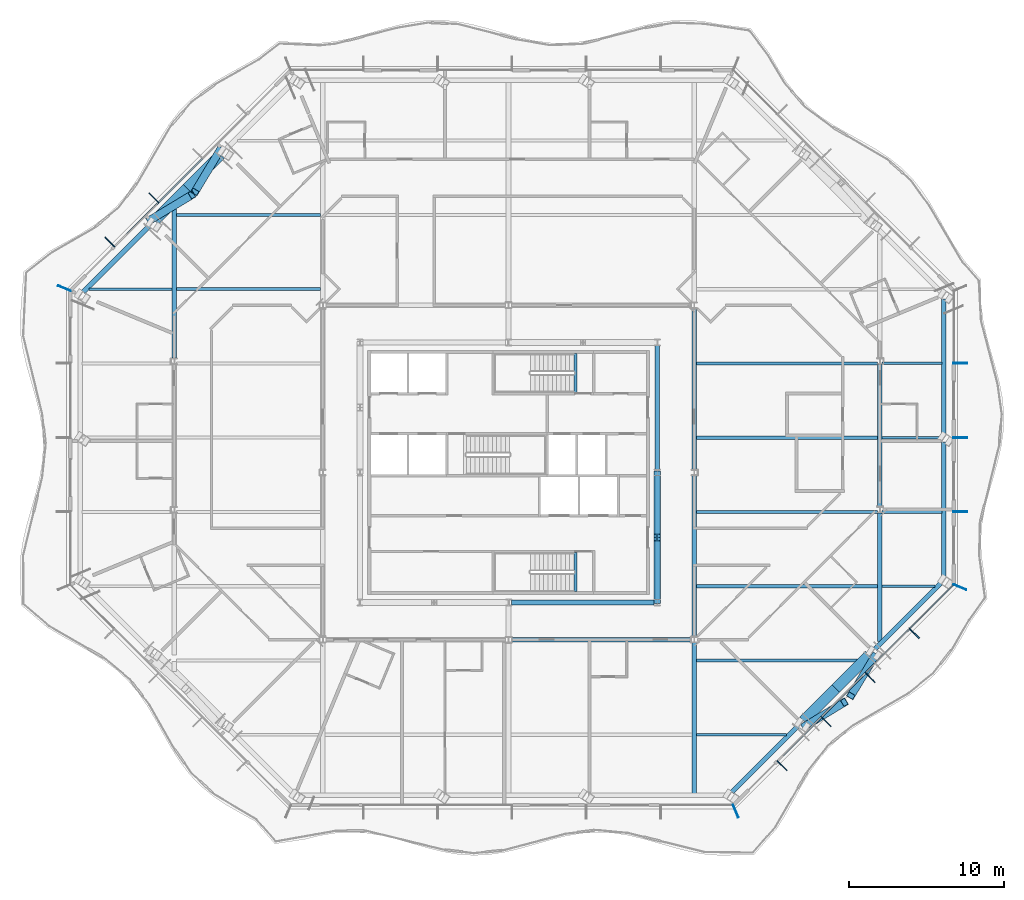
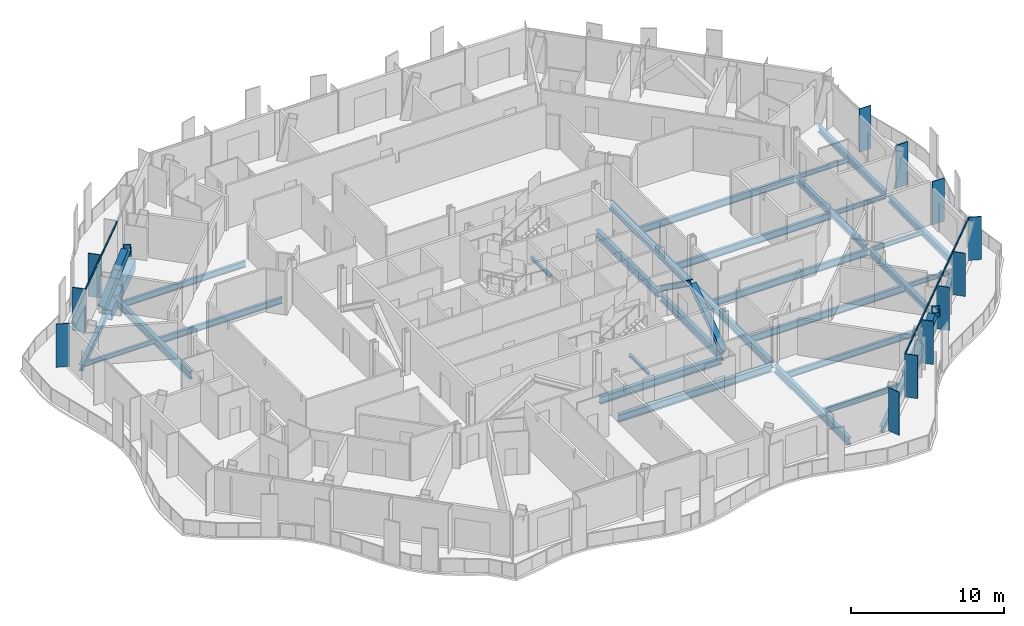
# One storey, part 4 of 22: 34 beams, 24 members, 4 elements without a shape of their own.
"""IFC4 building model written with IfcOpenShell, lengths in metres."""

import ifcopenshell
import ifcopenshell.guid

model = None  # the IFC model being written
_history = None  # IfcOwnerHistory: only IFC2X3 demands one
_inside = {}  # id of a spatial element -> (the spatial element, [elements in it])
_under = {}  # id of a project, library or spatial element -> (it, [spatial elements below it])
_declared = {}  # id of a project -> (the project, [libraries it declares])
_typed = {}  # id of a type object -> (the type object, [elements of that type])
_made_of = {}  # id of a material, layer set ... -> (it, [elements and type objects made of it])


def new_model(schema):
    """Start an empty IFC model of exactly this schema.

    Asked for "IFC4X3", IfcOpenShell would pick the latest addendum, in which some entities
    have other attributes; the version numbers below select the first issue.
    IFC2X3 requires an IfcOwnerHistory on every rooted entity: one is made here for all.
    """
    global model, _history
    if schema == "IFC4X3":
        model = ifcopenshell.file(schema_version=(4, 3, 0, 0))
    else:
        model = ifcopenshell.file(schema=schema)
    _inside.clear()
    _under.clear()
    _declared.clear()
    _typed.clear()
    _made_of.clear()
    _history = None
    if model.schema == "IFC2X3":
        org = make("IfcOrganization", Name="unknown")
        user = make(
            "IfcPersonAndOrganization",
            ThePerson=make("IfcPerson", FamilyName="unknown"),
            TheOrganization=org,
        )
        app = make(
            "IfcApplication",
            ApplicationDeveloper=org,
            Version="unknown",
            ApplicationFullName="unknown",
            ApplicationIdentifier="unknown",
        )
        _history = make(
            "IfcOwnerHistory",
            OwningUser=user,
            OwningApplication=app,
            ChangeAction="ADDED",
            CreationDate=0,
        )
    return model


def make(cls, **values):
    """One entity of the class cls with the attributes given. An attribute that is None is left unset."""
    return model.create_entity(
        cls, **{name: value for name, value in values.items() if value is not None}
    )


def rooted(cls, **values):
    """An entity with a GlobalId (a new one), such as an element, a storey or a relation."""
    return make(cls, GlobalId=ifcopenshell.guid.new(), OwnerHistory=_history, **values)


def si_unit(unit_type, name, prefix=None):
    """IfcSIUnit, for example si_unit("LENGTHUNIT", "METRE", prefix="MILLI")."""
    return make("IfcSIUnit", UnitType=unit_type, Prefix=prefix, Name=name)


def assignment(units):
    """IfcUnitAssignment: the units of a project."""
    return None if units is None else make("IfcUnitAssignment", Units=units)


def point(xyz):
    """IfcCartesianPoint."""
    return None if xyz is None else make("IfcCartesianPoint", Coordinates=xyz)


def direction(xyz):
    """IfcDirection."""
    return None if xyz is None else make("IfcDirection", DirectionRatios=xyz)


def frame(location, z_axis=None, x_axis=None):
    """IfcAxis2Placement3D, a coordinate frame: its origin and axes. An axis left out is left unset."""
    return make(
        "IfcAxis2Placement3D",
        Location=point(location),
        Axis=direction(z_axis),
        RefDirection=direction(x_axis),
    )


def frame_2d(location, x_axis=None):
    """IfcAxis2Placement2D, a coordinate frame in the plane: its origin and x axis."""
    return make(
        "IfcAxis2Placement2D", Location=point(location), RefDirection=direction(x_axis)
    )


def origin():
    """The frame at (0, 0, 0) with its axes left unset."""
    return frame((0.0, 0.0, 0.0))


def origin_2d():
    """The frame at (0, 0) in the plane with its x axis left unset."""
    return frame_2d((0.0, 0.0))


def place(relative_to, where):
    """IfcLocalPlacement: puts the frame where relative to a parent placement (None: the world)."""
    return make(
        "IfcLocalPlacement", PlacementRelTo=relative_to, RelativePlacement=where
    )


def context(
    kind, dimensions, precision=None, world=None, true_north=None, identifier=None
):
    """IfcGeometricRepresentationContext, for example the 3D "Model" context."""
    return make(
        "IfcGeometricRepresentationContext",
        ContextIdentifier=identifier,
        ContextType=kind,
        CoordinateSpaceDimension=dimensions,
        Precision=precision,
        WorldCoordinateSystem=world,
        TrueNorth=true_north,
    )


def subcontext(parent, identifier, kind, view, scale=None):
    """IfcGeometricRepresentationSubContext, for example "Body" below "Model"."""
    return make(
        "IfcGeometricRepresentationSubContext",
        ContextIdentifier=identifier,
        ContextType=kind,
        ParentContext=parent,
        TargetScale=scale,
        TargetView=view,
    )


def project(units=None, contexts=None):
    """IfcProject with its units and contexts."""
    return rooted(
        "IfcProject",
        Name="project",
        RepresentationContexts=contexts,
        UnitsInContext=assignment(units),
    )


def spatial(cls, under=None, at=None, **own):
    """A site, building, storey or space (cls), placed at a placement, below another one or the project."""
    s = rooted(cls, ObjectPlacement=at, **own)
    if under is not None:
        _under.setdefault(under.id(), (under, []))[1].append(s)
    return s


def profile(cls, at=None, kind="AREA", **sizes):
    """A parametric profile (cls). Its sizes go by their IFC names, for example OverallWidth=200.0."""
    return make(cls, ProfileType=kind, Position=at, **sizes)


def rectangle(**sizes):
    """IfcRectangleProfileDef."""
    return profile("IfcRectangleProfileDef", **sizes)


def hollow_rectangle(**sizes):
    """IfcRectangleHollowProfileDef."""
    return profile("IfcRectangleHollowProfileDef", **sizes)


def i_section(**sizes):
    """IfcIShapeProfileDef."""
    return profile("IfcIShapeProfileDef", **sizes)


def extrude(swept, where, along, depth):
    """IfcExtrudedAreaSolid: the profile swept, set in the frame where, extruded along a direction by depth."""
    return make(
        "IfcExtrudedAreaSolid",
        SweptArea=swept,
        Position=where,
        ExtrudedDirection=direction(along),
        Depth=depth,
    )


def shape(context_of_items, identifier, shape_type, items):
    """IfcShapeRepresentation: the items that make up one representation, for example the "Body"."""
    return make(
        "IfcShapeRepresentation",
        ContextOfItems=context_of_items,
        RepresentationIdentifier=identifier,
        RepresentationType=shape_type,
        Items=items,
    )


def material(Name=None, Category=None):
    """IfcMaterial."""
    return make("IfcMaterial", Name=Name, Category=Category)


def material_profile(
    of_material, cross_section, Name=None, Category=None, Priority=None
):
    """IfcMaterialProfile: a cross section and its material."""
    return make(
        "IfcMaterialProfile",
        Name=Name,
        Material=of_material,
        Profile=cross_section,
        Priority=Priority,
        Category=Category,
    )


def profile_set(profiles, Name=None, composite=None):
    """IfcMaterialProfileSet."""
    return make(
        "IfcMaterialProfileSet",
        Name=Name,
        MaterialProfiles=profiles,
        CompositeProfile=composite,
    )


def made_of(thing, what):
    """Note that an element or type object is made of a material, layer set ...; save() writes the relation."""
    if what is not None:
        _made_of.setdefault(what.id(), (what, []))[1].append(thing)
    return thing


def type_object(cls, material=None, **own):
    """A type object (cls), such as IfcWallType, which elements share."""
    return made_of(rooted(cls, **own), material)


def element(
    cls,
    number,
    at=None,
    inside=None,
    cuts=None,
    type_object=None,
    material=None,
    context=None,
    identifier="Body",
    shape_type=None,
    held_by="IfcProductDefinitionShape",
    body=None,
    shapes=None,
    **own,
):
    """One element of the class cls, such as IfcWall. Its Tag is "e" and its number.

    at: its placement. inside: the storey or other place that contains it. cuts: it is an
    opening in that element (IfcRelVoidsElement). A single representation is given by context,
    identifier, shape_type and body (its items); several are given by shapes. held_by: the class
    of the entity that holds the representations. save() writes the other relations.
    """
    e = rooted(cls, Tag="e%d" % number, ObjectPlacement=at, **own)
    if body is not None:
        shapes = [shape(context, identifier, shape_type, body)]
    if shapes is not None:
        e.Representation = make(held_by, Representations=shapes)
    if inside is not None:
        _inside.setdefault(inside.id(), (inside, []))[1].append(e)
    if cuts is not None:
        rooted(
            "IfcRelVoidsElement", RelatingBuildingElement=cuts, RelatedOpeningElement=e
        )
    if type_object is not None:
        _typed.setdefault(type_object.id(), (type_object, []))[1].append(e)
    return made_of(e, material)


def aggregate(whole, parts):
    """IfcRelAggregates: a whole, such as a stair, and the parts it consists of."""
    return rooted("IfcRelAggregates", RelatingObject=whole, RelatedObjects=parts)


def save(model, path):
    """Write the relations noted so far, then the file.

    IfcRelAggregates (storeys below a building ...), IfcRelContainedInSpatialStructure (elements
    in a storey), IfcRelDefinesByType, IfcRelAssociatesMaterial and IfcRelDeclares: one each for
    every whole, place, type object, material and project.
    """
    for whole, parts in _under.values():
        aggregate(whole, parts)
    for where, things in _inside.values():
        rooted(
            "IfcRelContainedInSpatialStructure",
            RelatedElements=things,
            RelatingStructure=where,
        )
    for kind, things in _typed.values():
        rooted("IfcRelDefinesByType", RelatedObjects=things, RelatingType=kind)
    for what, things in _made_of.values():
        rooted("IfcRelAssociatesMaterial", RelatedObjects=things, RelatingMaterial=what)
    for by, libraries in _declared.values():
        rooted("IfcRelDeclares", RelatingContext=by, RelatedDefinitions=libraries)
    model.write(path)


model = new_model("IFC4")

# Units and contexts
model_context = context("Model", 3, precision=1e-05, world=origin(), true_north=direction((0.0, 1.0)))
body_context = subcontext(model_context, "Body", "Model", "MODEL_VIEW")
ifc_project = project(units=[si_unit("LENGTHUNIT", "METRE"), si_unit("AREAUNIT", "SQUARE_METRE"), si_unit("VOLUMEUNIT", "CUBIC_METRE"), si_unit("PLANEANGLEUNIT", "RADIAN"), si_unit("MASSUNIT", "GRAM", prefix="KILO")], contexts=[model_context])

# Site, building, storey
site_placement = place(None, origin())
site = spatial("IfcSite", under=ifc_project, at=site_placement, CompositionType="ELEMENT")
building_placement = place(site_placement, origin())
building = spatial("IfcBuilding", under=site, at=building_placement, Name="Cairn Pilgrim Tower", CompositionType="ELEMENT")
storey_placement = place(building_placement, frame((0.0, 0.0, 175.800048828125)))
storey = spatial("IfcBuildingStorey", under=building, at=storey_placement, Name="L44", CompositionType="ELEMENT", Elevation=175.800048828125)

# Members
ifc_material_1 = material(Name="Structural steel S460M", Category="steel")
ifc_material_profile_1 = material_profile(ifc_material_1, hollow_rectangle(XDim=0.5, YDim=0.5, WallThickness=0.030029296875, at=origin_2d()), Name="BOX 500x500x30")
ifc_profile_set_1 = profile_set([ifc_material_profile_1], Name="Structural steel S460M")
member_type_1 = type_object("IfcMemberType", Name="BOX 500x500x30 BRACE", PredefinedType="BRACE", material=ifc_profile_set_1)
for number, where, z_axis, x_axis, name in (
    (1, (26.341552734375, -14.006103515625, 0.14990234375), (0.644796978851, 0.391501445587, 0.65647808354), (-0.518995148222, 0.854777185074, 0.0), "XB-SE2-SE3-1"),
    (2, (30.881103515625, -9.466552734375, 0.14990234375), (-0.391501445587, -0.644796978851, 0.65647808354), (0.854777185074, -0.518995148222, 0.0), "XB-SE2-SE3-2"),
):
    element("IfcMember", number, at=place(storey_placement, frame(where, z_axis=z_axis, x_axis=x_axis)), inside=storey, type_object=member_type_1, Name=name, PredefinedType="BRACE", context=body_context, shape_type="SweptSolid", body=[
        extrude(hollow_rectangle(XDim=0.5, YDim=0.5, WallThickness=0.030029296875, at=origin_2d()), origin(), (0.0, 0.0, 1.0), 3.97119140625),
    ])
member_1_placement = place(storey_placement, frame((-11.426513671875, 23.26171875, 0.13232421875), z_axis=(-0.396628072591, -0.6568655563, 0.641259551959), x_axis=(0.85604714496, -0.516897751596, 0.0)))
element("IfcMember", 3, at=member_1_placement, inside=storey, type_object=member_type_1, Name="XB-NW2-NW3-1", PredefinedType="BRACE", context=body_context, shape_type="SweptSolid", body=[
    extrude(hollow_rectangle(XDim=0.5, YDim=0.5, WallThickness=0.030029296875, at=origin_2d()), origin(), (0.0, 0.0, 1.0), 4.145751953125),
])
member_2_placement = place(storey_placement, frame((-15.985107421875, 18.7060546875, 0.1337890625), z_axis=(0.657089677269, 0.395915981541, 0.641469945974), x_axis=(-0.516088024647, 0.856535551402, 0.0)))
element("IfcMember", 4, at=member_2_placement, inside=storey, type_object=member_type_1, Name="XB-NW2-NW3-2", PredefinedType="BRACE", context=body_context, shape_type="SweptSolid", body=[
    extrude(hollow_rectangle(XDim=0.5, YDim=0.5, WallThickness=0.030029296875, at=origin_2d()), origin(), (0.0, 0.0, 1.0), 4.14208984375),
])

# Beams
ifc_material_2 = material(Name="Structural steel S355J2", Category="steel")
ifc_material_profile_2 = material_profile(ifc_material_2, hollow_rectangle(XDim=0.699951171875, YDim=0.800048828125, WallThickness=0.0400390625, at=origin_2d()), Name="BOX 700x800x40")
ifc_profile_set_2 = profile_set([ifc_material_profile_2], Name="Structural steel S355J2")
beam_type_1 = type_object("IfcBeamType", Name="BOX 700x800x40 RING GIRDER", PredefinedType="SPANDREL", material=ifc_profile_set_2)
beam_1_placement = place(storey_placement, frame((26.267333984375, -13.634765625, -0.550048828125), z_axis=(0.707106781187, 0.707106781187, 0.0), x_axis=(-0.707106781187, 0.707106781187, 0.0)))
element("IfcBeam", 5, at=beam_1_placement, inside=storey, type_object=beam_type_1, Name="RG2-SE2-SE3-1", PredefinedType="SPANDREL", context=body_context, shape_type="SweptSolid", body=[
    extrude(hollow_rectangle(XDim=0.699951171875, YDim=0.800048828125, WallThickness=0.0400390625, at=origin_2d()), origin(), (0.0, 0.0, 1.0), 2.94677734375),
])
for number, where, z_axis, x_axis, name in (
    (6, (28.35107421875, -11.551025390625, -0.550048828125), (0.707106781187, 0.707106781187, 0.0), (-0.707106781187, 0.707106781187, 0.0), "RG2-SE2-SE3-2"),
    (7, (-11.41748046875, 22.934814453125, -0.550048828125), (-0.707106781187, -0.707106781187, 0.0), (0.707106781187, -0.707106781187, 0.0), "RG2-NW2-NW3-1"),
):
    element("IfcBeam", number, at=place(storey_placement, frame(where, z_axis=z_axis, x_axis=x_axis)), inside=storey, type_object=beam_type_1, Name=name, PredefinedType="SPANDREL", context=body_context, shape_type="SweptSolid", body=[
        extrude(hollow_rectangle(XDim=0.699951171875, YDim=0.800048828125, WallThickness=0.0400390625, at=origin_2d()), origin(), (0.0, 0.0, 1.0), 3.052734375),
    ])
beam_2_placement = place(storey_placement, frame((-13.576171875, 20.776123046875, -0.550048828125), z_axis=(-0.707106781187, -0.707106781187, 0.0), x_axis=(0.707106781187, -0.707106781187, 0.0)))
element("IfcBeam", 8, at=beam_2_placement, inside=storey, type_object=beam_type_1, Name="RG2-NW2-NW3-2", PredefinedType="SPANDREL", context=body_context, shape_type="SweptSolid", body=[
    extrude(hollow_rectangle(XDim=0.699951171875, YDim=0.800048828125, WallThickness=0.0400390625, at=origin_2d()), origin(), (0.0, 0.0, 1.0), 2.94677734375),
])

# Curtain wall, members
ifc_material_3 = material(Name="Aluminium alloy 6063-T6 bronze anodised with Bronze tinted laminated low-E glass 8+16+8.8", Category="aluminium")
curtain_wall_type_1 = type_object("IfcCurtainWallType", Name="CHAMFER CORNER CURTAIN WALL", PredefinedType="NOTDEFINED", material=ifc_material_3)
curtain_wall_1_placement = place(storey_placement, origin())
curtain_wall_1 = element("IfcCurtainWall", 9, at=curtain_wall_1_placement, inside=storey, type_object=curtain_wall_type_1, Name="Chamfer Corner Curtain Wall SE", PredefinedType="NOTDEFINED")
ifc_material_4 = material(Name="Aluminium alloy 6063-T6 bronze anodised", Category="aluminium")
ifc_material_profile_3 = material_profile(ifc_material_4, rectangle(XDim=0.89990234375, YDim=0.06005859375, at=origin_2d()), Name="FIN MULLION 60x900 BRONZE")
ifc_profile_set_3 = profile_set([ifc_material_profile_3], Name="Aluminium alloy 6063-T6 bronze anodised")
member_type_2 = type_object("IfcMemberType", Name="FIN MULLION 60x900 BRONZE", PredefinedType="MULLION", material=ifc_profile_set_3)
member_3_placement = place(storey_placement, frame((21.882080078125, -19.488037109375, 0.0), z_axis=(0.0, 0.0, 1.0), x_axis=(0.382683432365, -0.923879532511, 0.0)))
member_3 = element("IfcMember", 10, at=member_3_placement, type_object=member_type_2, Name="Fin mullion SE1", PredefinedType="MULLION", context=body_context, shape_type="SweptSolid", body=[
    extrude(rectangle(XDim=0.89990234375, YDim=0.06005859375, at=origin_2d()), origin(), (0.0, 0.0, 1.0), 3.449951171875),
])
member_4_placement = place(storey_placement, frame((24.869140625, -16.54638671875, 0.0), z_axis=(0.0, 0.0, 1.0), x_axis=(0.707106781187, -0.707106781187, 0.0)))
member_4 = element("IfcMember", 11, at=member_4_placement, type_object=member_type_2, Name="Fin mullion SE2", PredefinedType="MULLION", context=body_context, shape_type="SweptSolid", body=[
    extrude(rectangle(XDim=0.89990234375, YDim=0.06005859375, at=origin_2d()), origin(), (0.0, 0.0, 1.0), 3.449951171875),
])
member_5_placement = place(storey_placement, frame((27.719970703125, -13.695556640625, 0.0), z_axis=(0.0, 0.0, 1.0), x_axis=(0.707106781187, -0.707106781187, 0.0)))
member_5 = element("IfcMember", 12, at=member_5_placement, type_object=member_type_2, Name="Fin mullion SE3", PredefinedType="MULLION", context=body_context, shape_type="SweptSolid", body=[
    extrude(rectangle(XDim=0.89990234375, YDim=0.06005859375, at=origin_2d()), origin(), (0.0, 0.0, 1.0), 3.449951171875),
])
member_6_placement = place(storey_placement, frame((30.570556640625, -10.844970703125, 0.0), z_axis=(0.0, 0.0, 1.0), x_axis=(0.707106781187, -0.707106781187, 0.0)))
member_6 = element("IfcMember", 13, at=member_6_placement, type_object=member_type_2, Name="Fin mullion SE4", PredefinedType="MULLION", context=body_context, shape_type="SweptSolid", body=[
    extrude(rectangle(XDim=0.89990234375, YDim=0.06005859375, at=origin_2d()), origin(), (0.0, 0.0, 1.0), 3.449951171875),
])
member_7_placement = place(storey_placement, frame((33.42138671875, -7.994140625, 0.0), z_axis=(0.0, 0.0, 1.0), x_axis=(0.707106781187, -0.707106781187, 0.0)))
member_7 = element("IfcMember", 14, at=member_7_placement, type_object=member_type_2, Name="Fin mullion SE5", PredefinedType="MULLION", context=body_context, shape_type="SweptSolid", body=[
    extrude(rectangle(XDim=0.89990234375, YDim=0.06005859375, at=origin_2d()), origin(), (0.0, 0.0, 1.0), 3.449951171875),
])

curtain_wall_type_2 = type_object("IfcCurtainWallType", Name="TOWER STICK CURTAIN WALL EW", PredefinedType="NOTDEFINED", material=ifc_material_3)
curtain_wall_2_placement = place(storey_placement, origin())
curtain_wall_2 = element("IfcCurtainWall", 15, at=curtain_wall_2_placement, inside=storey, type_object=curtain_wall_type_2, Name="Tower Stick Curtain Wall Ew E", PredefinedType="NOTDEFINED")
member_8_placement = place(storey_placement, frame((36.363037109375, -5.007080078125, 0.0), z_axis=(0.0, 0.0, 1.0), x_axis=(0.923879532511, -0.382683432365, 0.0)))
member_8 = element("IfcMember", 16, at=member_8_placement, type_object=member_type_2, Name="Fin mullion E1", PredefinedType="MULLION", context=body_context, shape_type="SweptSolid", body=[
    extrude(rectangle(XDim=0.89990234375, YDim=0.06005859375, at=origin_2d()), origin(), (0.0, 0.0, 1.0), 3.449951171875),
])
member_9_placement = place(storey_placement, frame((36.39501953125, -0.14990234375, 0.0), z_axis=(0.0, 0.0, 1.0), x_axis=(1.0, 0.0, 0.0)))
member_9 = element("IfcMember", 17, at=member_9_placement, type_object=member_type_2, Name="Fin mullion E2", PredefinedType="MULLION", context=body_context, shape_type="SweptSolid", body=[
    extrude(rectangle(XDim=0.89990234375, YDim=0.06005859375, at=origin_2d()), origin(), (0.0, 0.0, 1.0), 3.449951171875),
])
member_10_placement = place(storey_placement, frame((36.39501953125, 4.64990234375, 0.0), z_axis=(0.0, 0.0, 1.0), x_axis=(1.0, 0.0, 0.0)))
member_10 = element("IfcMember", 18, at=member_10_placement, type_object=member_type_2, Name="Fin mullion E3", PredefinedType="MULLION", context=body_context, shape_type="SweptSolid", body=[
    extrude(rectangle(XDim=0.89990234375, YDim=0.06005859375, at=origin_2d()), origin(), (0.0, 0.0, 1.0), 3.449951171875),
])
member_11_placement = place(storey_placement, frame((36.39501953125, 9.449951171875, 0.0), z_axis=(0.0, 0.0, 1.0), x_axis=(1.0, 0.0, 0.0)))
member_11 = element("IfcMember", 19, at=member_11_placement, type_object=member_type_2, Name="Fin mullion E4", PredefinedType="MULLION", context=body_context, shape_type="SweptSolid", body=[
    extrude(rectangle(XDim=0.89990234375, YDim=0.06005859375, at=origin_2d()), origin(), (0.0, 0.0, 1.0), 3.449951171875),
])
aggregate(curtain_wall_2, [member_8, member_9, member_10, member_11])

curtain_wall_3_placement = place(storey_placement, origin())
curtain_wall_3 = element("IfcCurtainWall", 20, at=curtain_wall_3_placement, inside=storey, type_object=curtain_wall_type_1, Name="Chamfer Corner Curtain Wall NW", PredefinedType="NOTDEFINED")
member_12_placement = place(storey_placement, frame((-15.720458984375, 20.144775390625, 0.0), z_axis=(0.0, 0.0, 1.0), x_axis=(-0.707106781187, 0.707106781187, 0.0)))
member_12 = element("IfcMember", 21, at=member_12_placement, type_object=member_type_2, Name="Fin mullion NW4", PredefinedType="MULLION", context=body_context, shape_type="SweptSolid", body=[
    extrude(rectangle(XDim=0.89990234375, YDim=0.06005859375, at=origin_2d()), origin(), (0.0, 0.0, 1.0), 3.449951171875),
])
member_13_placement = place(storey_placement, frame((-18.5712890625, 17.294189453125, 0.0), z_axis=(0.0, 0.0, 1.0), x_axis=(-0.707106781187, 0.707106781187, 0.0)))
member_13 = element("IfcMember", 22, at=member_13_placement, type_object=member_type_2, Name="Fin mullion NW5", PredefinedType="MULLION", context=body_context, shape_type="SweptSolid", body=[
    extrude(rectangle(XDim=0.89990234375, YDim=0.06005859375, at=origin_2d()), origin(), (0.0, 0.0, 1.0), 3.449951171875),
])

# Curtain wall, member
curtain_wall_4_placement = place(storey_placement, origin())
curtain_wall_4 = element("IfcCurtainWall", 23, at=curtain_wall_4_placement, inside=storey, type_object=curtain_wall_type_2, Name="Tower Stick Curtain Wall Ew W", PredefinedType="NOTDEFINED")
member_14_placement = place(storey_placement, frame((-21.512939453125, 14.30712890625, 0.0), z_axis=(0.0, 0.0, 1.0), x_axis=(-0.923879532511, 0.382683432365, 0.0)))
member_14 = element("IfcMember", 24, at=member_14_placement, type_object=member_type_2, Name="Fin mullion W1", PredefinedType="MULLION", context=body_context, shape_type="SweptSolid", body=[
    extrude(rectangle(XDim=0.89990234375, YDim=0.06005859375, at=origin_2d()), origin(), (0.0, 0.0, 1.0), 3.449951171875),
])
aggregate(curtain_wall_4, [member_14])

# Members
ifc_material_profile_4 = material_profile(ifc_material_1, i_section(OverallWidth=0.408935546875, OverallDepth=0.425048828125, WebThickness=0.03271484375, FlangeThickness=0.052490234375, FilletRadius=0.014892578125, at=origin_2d()), Name="HD 400x421")
ifc_profile_set_4 = profile_set([ifc_material_profile_4], Name="Structural steel S460M")
member_type_3 = type_object("IfcMemberType", Name="HD 400x421 BRACE", PredefinedType="BRACE", material=ifc_profile_set_4)
member_15_placement = place(storey_placement, frame((16.800048828125, -5.95849609375, 0.099853515625), z_axis=(0.0, 0.814346882511, 0.580378458373), x_axis=(-1.0, 0.0, 0.0)))
element("IfcMember", 25, at=member_15_placement, inside=storey, type_object=member_type_3, Name="KB-2A", PredefinedType="BRACE", context=body_context, shape_type="SweptSolid", body=[
    extrude(i_section(OverallWidth=0.408935546875, OverallDepth=0.425048828125, WebThickness=0.03271484375, FlangeThickness=0.052490234375, FilletRadius=0.014892578125, at=origin_2d()), origin(), (0.0, 0.0, 1.0), 4.998291015625),
])
member_16_placement = place(storey_placement, frame((16.800048828125, 2.3583984375, 0.099853515625), z_axis=(0.0, -0.81433042856, 0.580401544727), x_axis=(1.0, 0.0, 0.0)))
element("IfcMember", 26, at=member_16_placement, inside=storey, type_object=member_type_3, Name="KB-2B", PredefinedType="BRACE", context=body_context, shape_type="SweptSolid", body=[
    extrude(i_section(OverallWidth=0.408935546875, OverallDepth=0.425048828125, WebThickness=0.03271484375, FlangeThickness=0.052490234375, FilletRadius=0.014892578125, at=origin_2d()), origin(), (0.0, 0.0, 1.0), 4.998046875),
])

# Beams
ifc_material_profile_5 = material_profile(ifc_material_2, i_section(OverallWidth=0.300048828125, OverallDepth=0.5, WebThickness=0.014404296875, FlangeThickness=0.028076171875, FilletRadius=0.027099609375, at=origin_2d()), Name="HEB 500")
ifc_profile_set_5 = profile_set([ifc_material_profile_5], Name="Structural steel S355J2")
beam_type_2 = type_object("IfcBeamType", Name="HEB 500 GIRDER", PredefinedType="BEAM", material=ifc_profile_set_5)
beam_3_placement = place(storey_placement, frame((31.199951171875, -8.52001953125, -0.400146484375), z_axis=(0.0, 1.0, 0.0), x_axis=(-1.0, 0.0, 0.0)))
element("IfcBeam", 27, at=beam_3_placement, inside=storey, type_object=beam_type_2, Name="PG5-1", PredefinedType="BEAM", context=body_context, shape_type="SweptSolid", body=[
    extrude(i_section(OverallWidth=0.300048828125, OverallDepth=0.5, WebThickness=0.014404296875, FlangeThickness=0.028076171875, FilletRadius=0.027099609375, at=origin_2d()), origin(), (0.0, 0.0, 1.0), 8.3154296875),
])
beam_4_placement = place(storey_placement, frame((31.199951171875, 0.20458984375, -0.400146484375), z_axis=(0.0, 1.0, 0.0), x_axis=(-1.0, 0.0, 0.0)))
element("IfcBeam", 28, at=beam_4_placement, inside=storey, type_object=beam_type_2, Name="PG5-2", PredefinedType="BEAM", context=body_context, shape_type="SweptSolid", body=[
    extrude(i_section(OverallWidth=0.300048828125, OverallDepth=0.5, WebThickness=0.014404296875, FlangeThickness=0.028076171875, FilletRadius=0.027099609375, at=origin_2d()), origin(), (0.0, 0.0, 1.0), 9.19091796875),
])
ifc_material_profile_6 = material_profile(ifc_material_2, i_section(OverallWidth=0.300048828125, OverallDepth=0.5, WebThickness=0.014404296875, FlangeThickness=0.028076171875, FilletRadius=0.027099609375, at=origin_2d()), Name="HEB 500")
ifc_profile_set_6 = profile_set([ifc_material_profile_6], Name="Structural steel S355J2")
beam_type_3 = type_object("IfcBeamType", Name="HEB 500 RING GIRDER", PredefinedType="SPANDREL", material=ifc_profile_set_6)
for number, where, z_axis, x_axis, name in (
    (29, (21.64306640625, -18.259033203125, -0.400146484375), (0.707106781187, 0.707106781187, 0.0), (-0.707106781187, 0.707106781187, 0.0), "RG2-SE1-SE2"),
    (30, (30.8916015625, -9.010498046875, -0.400146484375), (0.707106781187, 0.707106781187, 0.0), (-0.707106781187, 0.707106781187, 0.0), "RG2-SE3-E1"),
):
    element("IfcBeam", number, at=place(storey_placement, frame(where, z_axis=z_axis, x_axis=x_axis)), inside=storey, type_object=beam_type_3, Name=name, PredefinedType="SPANDREL", context=body_context, shape_type="SweptSolid", body=[
        extrude(i_section(OverallWidth=0.300048828125, OverallDepth=0.5, WebThickness=0.014404296875, FlangeThickness=0.028076171875, FilletRadius=0.027099609375, at=origin_2d()), origin(), (0.0, 0.0, 1.0), 5.999755859375),
    ])
beam_5_placement = place(storey_placement, frame((35.324951171875, -4.30712890625, -0.400146484375), z_axis=(0.0, 1.0, 0.0), x_axis=(-1.0, 0.0, 0.0)))
element("IfcBeam", 31, at=beam_5_placement, inside=storey, type_object=beam_type_3, Name="RG2-E1-E2", PredefinedType="SPANDREL", context=body_context, shape_type="SweptSolid", body=[
    extrude(i_section(OverallWidth=0.300048828125, OverallDepth=0.5, WebThickness=0.014404296875, FlangeThickness=0.028076171875, FilletRadius=0.027099609375, at=origin_2d()), origin(), (0.0, 0.0, 1.0), 8.68701171875),
])
beam_6_placement = place(storey_placement, frame((35.324951171875, 4.919921875, -0.400146484375), z_axis=(0.0, 1.0, 0.0), x_axis=(-1.0, 0.0, 0.0)))
element("IfcBeam", 32, at=beam_6_placement, inside=storey, type_object=beam_type_3, Name="RG2-E2-NE1", PredefinedType="SPANDREL", context=body_context, shape_type="SweptSolid", body=[
    extrude(i_section(OverallWidth=0.300048828125, OverallDepth=0.5, WebThickness=0.014404296875, FlangeThickness=0.028076171875, FilletRadius=0.027099609375, at=origin_2d()), origin(), (0.0, 0.0, 1.0), 8.687255859375),
])
beam_7_placement = place(storey_placement, frame((-16.041748046875, 18.310546875, -0.400146484375), z_axis=(-0.707106781187, -0.707106781187, 0.0), x_axis=(0.707106781187, -0.707106781187, 0.0)))
element("IfcBeam", 33, at=beam_7_placement, inside=storey, type_object=beam_type_3, Name="RG2-NW3-W1", PredefinedType="SPANDREL", context=body_context, shape_type="SweptSolid", body=[
    extrude(i_section(OverallWidth=0.300048828125, OverallDepth=0.5, WebThickness=0.014404296875, FlangeThickness=0.028076171875, FilletRadius=0.027099609375, at=origin_2d()), origin(), (0.0, 0.0, 1.0), 5.999755859375),
])
ifc_material_profile_7 = material_profile(ifc_material_2, i_section(OverallWidth=0.300048828125, OverallDepth=0.60009765625, WebThickness=0.015380859375, FlangeThickness=0.030029296875, FilletRadius=0.027099609375, at=origin_2d()), Name="HEB 600")
ifc_profile_set_7 = profile_set([ifc_material_profile_7], Name="Structural steel S355J2")
beam_type_4 = type_object("IfcBeamType", Name="HEB 600 CORE BEAM", PredefinedType="BEAM", material=ifc_profile_set_7)
beam_8_placement = place(storey_placement, frame((7.38720703125, -6.0, -0.449951171875), z_axis=(1.0, 0.0, 0.0), x_axis=(0.0, 1.0, 0.0)))
element("IfcBeam", 34, at=beam_8_placement, inside=storey, type_object=beam_type_4, Name="CB-2", PredefinedType="BEAM", context=body_context, shape_type="SweptSolid", body=[
    extrude(i_section(OverallWidth=0.300048828125, OverallDepth=0.60009765625, WebThickness=0.015380859375, FlangeThickness=0.030029296875, FilletRadius=0.027099609375, at=origin_2d()), origin(), (0.0, 0.0, 1.0), 9.2255859375),
])
for number, where, z_axis, x_axis, name in (
    (35, (16.800048828125, -5.812744140625, -0.449951171875), (0.0, 1.0, 0.0), (-1.0, 0.0, 0.0), "CB-3"),
    (36, (16.800048828125, 2.587158203125, -0.449951171875), (0.0, 1.0, 0.0), (-1.0, 0.0, 0.0), "CB-4"),
):
    element("IfcBeam", number, at=place(storey_placement, frame(where, z_axis=z_axis, x_axis=x_axis)), inside=storey, type_object=beam_type_4, Name=name, PredefinedType="BEAM", context=body_context, shape_type="SweptSolid", body=[
        extrude(i_section(OverallWidth=0.300048828125, OverallDepth=0.60009765625, WebThickness=0.015380859375, FlangeThickness=0.030029296875, FilletRadius=0.027099609375, at=origin_2d()), origin(), (0.0, 0.0, 1.0), 8.025634765625),
    ])
ifc_material_profile_8 = material_profile(ifc_material_2, i_section(OverallWidth=0.300048828125, OverallDepth=0.60009765625, WebThickness=0.015380859375, FlangeThickness=0.030029296875, FilletRadius=0.027099609375, at=origin_2d()), Name="HEB 600")
ifc_profile_set_8 = profile_set([ifc_material_profile_8], Name="Structural steel S355J2")
beam_type_5 = type_object("IfcBeamType", Name="HEB 600 GIRDER", PredefinedType="BEAM", material=ifc_profile_set_8)
beam_9_placement = place(storey_placement, frame((-14.39990234375, 9.799560546875, -0.449951171875), z_axis=(0.0, 1.0, 0.0), x_axis=(-1.0, 0.0, 0.0)))
element("IfcBeam", 37, at=beam_9_placement, inside=storey, type_object=beam_type_5, Name="PG1-3", PredefinedType="BEAM", context=body_context, shape_type="SweptSolid", body=[
    extrude(i_section(OverallWidth=0.300048828125, OverallDepth=0.60009765625, WebThickness=0.015380859375, FlangeThickness=0.030029296875, FilletRadius=0.027099609375, at=origin_2d()), origin(), (0.0, 0.0, 1.0), 9.970458984375),
])
beam_10_placement = place(storey_placement, frame((19.199951171875, -18.330078125, -0.449951171875), z_axis=(0.0, 1.0, 0.0), x_axis=(-1.0, 0.0, 0.0)))
element("IfcBeam", 38, at=beam_10_placement, inside=storey, type_object=beam_type_5, Name="PG4-1", PredefinedType="BEAM", context=body_context, shape_type="SweptSolid", body=[
    extrude(i_section(OverallWidth=0.300048828125, OverallDepth=0.60009765625, WebThickness=0.015380859375, FlangeThickness=0.030029296875, FilletRadius=0.027099609375, at=origin_2d()), origin(), (0.0, 0.0, 1.0), 9.73046875),
])
for number, where, z_axis, x_axis, name in (
    (39, (19.199951171875, -8.200439453125, -0.449951171875), (0.0, 1.0, 0.0), (-1.0, 0.0, 0.0), "PG4-2"),
    (40, (19.199951171875, 2.599609375, -0.449951171875), (0.0, 1.0, 0.0), (-1.0, 0.0, 0.0), "PG4-3"),
):
    element("IfcBeam", number, at=place(storey_placement, frame(where, z_axis=z_axis, x_axis=x_axis)), inside=storey, type_object=beam_type_5, Name=name, PredefinedType="BEAM", context=body_context, shape_type="SweptSolid", body=[
        extrude(i_section(OverallWidth=0.300048828125, OverallDepth=0.60009765625, WebThickness=0.015380859375, FlangeThickness=0.030029296875, FilletRadius=0.027099609375, at=origin_2d()), origin(), (0.0, 0.0, 1.0), 10.40087890625),
    ])
ifc_material_profile_9 = material_profile(ifc_material_2, i_section(OverallWidth=0.300048828125, OverallDepth=0.60009765625, WebThickness=0.015380859375, FlangeThickness=0.030029296875, FilletRadius=0.027099609375, at=origin_2d()), Name="HEB 600")
ifc_profile_set_9 = profile_set([ifc_material_profile_9], Name="Structural steel S355J2")
beam_type_6 = type_object("IfcBeamType", Name="HEB 600 INNER GIRDER", PredefinedType="BEAM", material=ifc_profile_set_9)
beam_11_placement = place(storey_placement, frame((7.3994140625, -8.39990234375, -0.449951171875), z_axis=(1.0, 0.0, 0.0), x_axis=(0.0, 1.0, 0.0)))
element("IfcBeam", 41, at=beam_11_placement, inside=storey, type_object=beam_type_6, Name="IG1-2", PredefinedType="BEAM", context=body_context, shape_type="SweptSolid", body=[
    extrude(i_section(OverallWidth=0.300048828125, OverallDepth=0.60009765625, WebThickness=0.015380859375, FlangeThickness=0.030029296875, FilletRadius=0.027099609375, at=origin_2d()), origin(), (0.0, 0.0, 1.0), 11.60107421875),
])
ifc_material_profile_10 = material_profile(ifc_material_2, i_section(OverallWidth=0.169921875, OverallDepth=0.360107421875, WebThickness=0.008056640625, FlangeThickness=0.0126953125, FilletRadius=0.01806640625, at=origin_2d()), Name="IPE 360")
ifc_profile_set_10 = profile_set([ifc_material_profile_10], Name="Structural steel S355J2")
beam_type_7 = type_object("IfcBeamType", Name="IPE 360 SECONDARY BEAM", PredefinedType="JOIST", material=ifc_profile_set_10)
beam_12_placement = place(storey_placement, frame((31.35009765625, -4.949951171875, -0.330078125), z_axis=(1.0, 0.0, 0.0), x_axis=(0.0, 1.0, 0.0)))
element("IfcBeam", 42, at=beam_12_placement, inside=storey, type_object=beam_type_7, Name="SB3-4", PredefinedType="JOIST", context=body_context, shape_type="SweptSolid", body=[
    extrude(i_section(OverallWidth=0.169921875, OverallDepth=0.360107421875, WebThickness=0.008056640625, FlangeThickness=0.0126953125, FilletRadius=0.01806640625, at=origin_2d()), origin(), (0.0, 0.0, 1.0), 3.419921875),
])
for number, where, z_axis, x_axis, name in (
    (43, (31.35009765625, -0.14990234375, -0.330078125), (1.0, 0.0, 0.0), (0.0, 1.0, 0.0), "SB4-4"),
    (44, (31.35009765625, 4.64990234375, -0.330078125), (1.0, 0.0, 0.0), (0.0, 1.0, 0.0), "SB5-4"),
    (45, (31.35009765625, 9.449951171875, -0.330078125), (1.0, 0.0, 0.0), (0.0, 1.0, 0.0), "SB6-4"),
):
    element("IfcBeam", number, at=place(storey_placement, frame(where, z_axis=z_axis, x_axis=x_axis)), inside=storey, type_object=beam_type_7, Name=name, PredefinedType="JOIST", context=body_context, shape_type="SweptSolid", body=[
        extrude(i_section(OverallWidth=0.169921875, OverallDepth=0.360107421875, WebThickness=0.008056640625, FlangeThickness=0.0126953125, FilletRadius=0.01806640625, at=origin_2d()), origin(), (0.0, 0.0, 1.0), 3.85498046875),
    ])
beam_13_placement = place(storey_placement, frame((-19.920166015625, 14.25, -0.330078125), z_axis=(1.0, 0.0, 0.0), x_axis=(0.0, 1.0, 0.0)))
element("IfcBeam", 46, at=beam_13_placement, inside=storey, type_object=beam_type_7, Name="SB7-1", PredefinedType="JOIST", context=body_context, shape_type="SweptSolid", body=[
    extrude(i_section(OverallWidth=0.169921875, OverallDepth=0.360107421875, WebThickness=0.008056640625, FlangeThickness=0.0126953125, FilletRadius=0.01806640625, at=origin_2d()), origin(), (0.0, 0.0, 1.0), 5.3701171875),
])
ifc_material_profile_11 = material_profile(ifc_material_2, i_section(OverallWidth=0.18994140625, OverallDepth=0.449951171875, WebThickness=0.009521484375, FlangeThickness=0.0146484375, FilletRadius=0.02099609375, at=origin_2d()), Name="IPE 450")
ifc_profile_set_11 = profile_set([ifc_material_profile_11], Name="Structural steel S355J2")
beam_type_8 = type_object("IfcBeamType", Name="IPE 450 SECONDARY BEAM", PredefinedType="JOIST", material=ifc_profile_set_11)
beam_14_placement = place(storey_placement, frame((19.35009765625, -14.550048828125, -0.375), z_axis=(1.0, 0.0, 0.0), x_axis=(0.0, 1.0, 0.0)))
element("IfcBeam", 47, at=beam_14_placement, inside=storey, type_object=beam_type_8, Name="SB1-4", PredefinedType="JOIST", context=body_context, shape_type="SweptSolid", body=[
    extrude(i_section(OverallWidth=0.18994140625, OverallDepth=0.449951171875, WebThickness=0.009521484375, FlangeThickness=0.0146484375, FilletRadius=0.02099609375, at=origin_2d()), origin(), (0.0, 0.0, 1.0), 5.820068359375),
])
ifc_material_profile_12 = material_profile(ifc_material_2, i_section(OverallWidth=0.199951171875, OverallDepth=0.5, WebThickness=0.01025390625, FlangeThickness=0.01611328125, FilletRadius=0.02099609375, at=origin_2d()), Name="IPE 500")
ifc_profile_set_12 = profile_set([ifc_material_profile_12], Name="Structural steel S355J2")
beam_type_9 = type_object("IfcBeamType", Name="IPE 500 SECONDARY BEAM", PredefinedType="JOIST", material=ifc_profile_set_12)
beam_15_placement = place(storey_placement, frame((19.35009765625, -9.75, -0.400146484375), z_axis=(1.0, 0.0, 0.0), x_axis=(0.0, 1.0, 0.0)))
element("IfcBeam", 48, at=beam_15_placement, inside=storey, type_object=beam_type_9, Name="SB2-2", PredefinedType="JOIST", context=body_context, shape_type="SweptSolid", body=[
    extrude(i_section(OverallWidth=0.199951171875, OverallDepth=0.5, WebThickness=0.01025390625, FlangeThickness=0.01611328125, FilletRadius=0.02099609375, at=origin_2d()), origin(), (0.0, 0.0, 1.0), 10.6201171875),
])
for number, where, z_axis, x_axis, name in (
    (49, (-14.25, 14.25, -0.400146484375), (1.0, 0.0, 0.0), (0.0, 1.0, 0.0), "SB7-2"),
    (50, (-14.25, 19.050048828125, -0.400146484375), (1.0, 0.0, 0.0), (0.0, 1.0, 0.0), "SB8-1"),
):
    element("IfcBeam", number, at=place(storey_placement, frame(where, z_axis=z_axis, x_axis=x_axis)), inside=storey, type_object=beam_type_9, Name=name, PredefinedType="JOIST", context=body_context, shape_type="SweptSolid", body=[
        extrude(i_section(OverallWidth=0.199951171875, OverallDepth=0.5, WebThickness=0.01025390625, FlangeThickness=0.01611328125, FilletRadius=0.02099609375, at=origin_2d()), origin(), (0.0, 0.0, 1.0), 9.300048828125),
    ])
ifc_material_profile_13 = material_profile(ifc_material_2, i_section(OverallWidth=0.2099609375, OverallDepth=0.550048828125, WebThickness=0.010986328125, FlangeThickness=0.01708984375, FilletRadius=0.02392578125, at=origin_2d()), Name="IPE 550")
ifc_profile_set_13 = profile_set([ifc_material_profile_13], Name="Structural steel S355J2")
beam_type_10 = type_object("IfcBeamType", Name="IPE 550 SECONDARY BEAM", PredefinedType="JOIST", material=ifc_profile_set_13)
for number, where, z_axis, x_axis, name in (
    (51, (19.35009765625, -4.949951171875, -0.425048828125), (1.0, 0.0, 0.0), (0.0, 1.0, 0.0), "SB3-3"),
    (52, (19.35009765625, -0.14990234375, -0.425048828125), (1.0, 0.0, 0.0), (0.0, 1.0, 0.0), "SB4-3"),
    (53, (19.35009765625, 4.64990234375, -0.425048828125), (1.0, 0.0, 0.0), (0.0, 1.0, 0.0), "SB5-3"),
    (54, (19.35009765625, 9.449951171875, -0.425048828125), (1.0, 0.0, 0.0), (0.0, 1.0, 0.0), "SB6-3"),
):
    element("IfcBeam", number, at=place(storey_placement, frame(where, z_axis=z_axis, x_axis=x_axis)), inside=storey, type_object=beam_type_10, Name=name, PredefinedType="JOIST", context=body_context, shape_type="SweptSolid", body=[
        extrude(i_section(OverallWidth=0.2099609375, OverallDepth=0.550048828125, WebThickness=0.010986328125, FlangeThickness=0.01708984375, FilletRadius=0.02392578125, at=origin_2d()), origin(), (0.0, 0.0, 1.0), 11.699951171875),
    ])
ifc_material_profile_14 = material_profile(ifc_material_2, i_section(OverallWidth=0.199951171875, OverallDepth=0.199951171875, WebThickness=0.009033203125, FlangeThickness=0.014892578125, FilletRadius=0.01806640625, at=origin_2d()), Name="HE 200 B")
ifc_profile_set_14 = profile_set([ifc_material_profile_14], Name="Structural steel S355J2")
beam_type_11 = type_object("IfcBeamType", Name="STAIR LANDING BEAM HE 200 B", PredefinedType="BEAM", material=ifc_profile_set_14)
for number, where, z_axis, x_axis, name in (
    (55, (11.5244140625, -2.77490234375, -0.25), (0.0, -1.0, 0.0), (1.0, 0.0, 0.0), "STAIR LANDING BEAM LD-HE200B"),
    (56, (11.5244140625, 10.10009765625, -0.25), (0.0, -1.0, 0.0), (1.0, 0.0, 0.0), "STAIR LANDING BEAM LD-HE200B"),
):
    element("IfcBeam", number, at=place(storey_placement, frame(where, z_axis=z_axis, x_axis=x_axis)), inside=storey, type_object=beam_type_11, Name=name, PredefinedType="BEAM", context=body_context, shape_type="SweptSolid", body=[
        extrude(i_section(OverallWidth=0.199951171875, OverallDepth=0.199951171875, WebThickness=0.009033203125, FlangeThickness=0.014892578125, FilletRadius=0.01806640625, at=origin_2d()), origin(), (0.0, 0.0, 1.0), 2.525146484375),
    ])

# Member
ifc_material_profile_15 = material_profile(ifc_material_4, rectangle(XDim=0.080078125, YDim=0.14990234375, at=origin_2d()), Name="TRANSOM 80x150 BRONZE")
ifc_profile_set_15 = profile_set([ifc_material_profile_15], Name="Aluminium alloy 6063-T6 bronze anodised")
member_type_4 = type_object("IfcMemberType", Name="TRANSOM 80x150 BRONZE", PredefinedType="USERDEFINED", material=ifc_profile_set_15)
member_17_placement = place(storey_placement, frame((24.59326171875, -16.22802734375, 3.375), z_axis=(0.707106781187, 0.707106781187, 0.0), x_axis=(-0.707106781187, 0.707106781187, 0.0)))
member_17 = element("IfcMember", 57, at=member_17_placement, type_object=member_type_4, Name="Transom SE2", ObjectType="TRANSOM", PredefinedType="USERDEFINED", context=body_context, shape_type="SweptSolid", body=[
    extrude(rectangle(XDim=0.080078125, YDim=0.14990234375, at=origin_2d()), origin(), (0.0, 0.0, 1.0), 3.9716796875),
])

member_18_placement = place(storey_placement, frame((27.444091796875, -13.37744140625, 3.375), z_axis=(0.707106781187, 0.707106781187, 0.0), x_axis=(-0.707106781187, 0.707106781187, 0.0)))
member_18 = element("IfcMember", 58, at=member_18_placement, type_object=member_type_4, Name="Transom SE3", ObjectType="TRANSOM", PredefinedType="USERDEFINED", context=body_context, shape_type="SweptSolid", body=[
    extrude(rectangle(XDim=0.080078125, YDim=0.14990234375, at=origin_2d()), origin(), (0.0, 0.0, 1.0), 3.9716796875),
])

member_19_placement = place(storey_placement, frame((30.294677734375, -10.526611328125, 3.375), z_axis=(0.707106781187, 0.707106781187, 0.0), x_axis=(-0.707106781187, 0.707106781187, 0.0)))
member_19 = element("IfcMember", 59, at=member_19_placement, type_object=member_type_4, Name="Transom SE4", ObjectType="TRANSOM", PredefinedType="USERDEFINED", context=body_context, shape_type="SweptSolid", body=[
    extrude(rectangle(XDim=0.080078125, YDim=0.14990234375, at=origin_2d()), origin(), (0.0, 0.0, 1.0), 3.9716796875),
])

member_20_placement = place(storey_placement, frame((33.1455078125, -7.676025390625, 3.375), z_axis=(0.707106781187, 0.707106781187, 0.0), x_axis=(-0.707106781187, 0.707106781187, 0.0)))
member_20 = element("IfcMember", 60, at=member_20_placement, type_object=member_type_4, Name="Transom SE5", ObjectType="TRANSOM", PredefinedType="USERDEFINED", context=body_context, shape_type="SweptSolid", body=[
    extrude(rectangle(XDim=0.080078125, YDim=0.14990234375, at=origin_2d()), origin(), (0.0, 0.0, 1.0), 3.961669921875),
])

aggregate(curtain_wall_1, [member_3, member_4, member_5, member_6, member_7, member_17, member_18, member_19, member_20])

member_21_placement = place(storey_placement, frame((-12.593994140625, 22.67724609375, 3.375), z_axis=(-0.70713751761, -0.707076043427, 0.0), x_axis=(0.707076043427, -0.70713751761, 0.0)))
member_21 = element("IfcMember", 61, at=member_21_placement, type_object=member_type_4, Name="Transom NW3", ObjectType="TRANSOM", PredefinedType="USERDEFINED", context=body_context, shape_type="SweptSolid", body=[
    extrude(rectangle(XDim=0.080078125, YDim=0.14990234375, at=origin_2d()), origin(), (0.0, 0.0, 1.0), 3.971435546875),
])

member_22_placement = place(storey_placement, frame((-15.44482421875, 19.82666015625, 3.375), z_axis=(-0.707106781187, -0.707106781187, 0.0), x_axis=(0.707106781187, -0.707106781187, 0.0)))
member_22 = element("IfcMember", 62, at=member_22_placement, type_object=member_type_4, Name="Transom NW4", ObjectType="TRANSOM", PredefinedType="USERDEFINED", context=body_context, shape_type="SweptSolid", body=[
    extrude(rectangle(XDim=0.080078125, YDim=0.14990234375, at=origin_2d()), origin(), (0.0, 0.0, 1.0), 3.9716796875),
])

aggregate(curtain_wall_3, [member_12, member_13, member_21, member_22])

save(model, "model.ifc")
